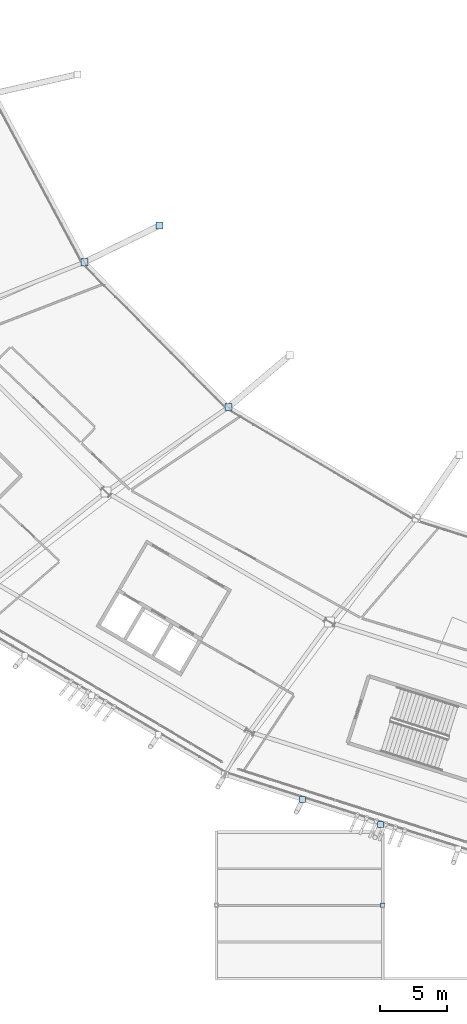
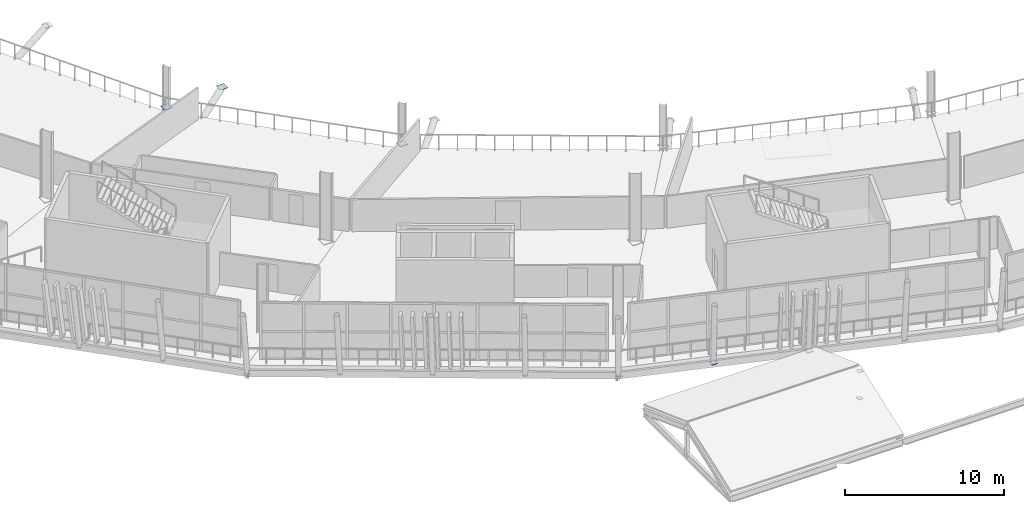
# One storey, part 94 of 168: 7 plates.
"""IFC4 building model written with IfcOpenShell, lengths in metres."""

from ifc_helpers import new_model, si_unit, direction, frame, origin, origin_2d, place, context, subcontext, project, spatial, rectangle, extrude, material, layer, layer_set, type_object, element, save


model = new_model("IFC4")

# Units and contexts
model_context = context("Model", 3, precision=1e-05, world=origin(), true_north=direction((0.0, 1.0)))
body_context = subcontext(model_context, "Body", "Model", "MODEL_VIEW")
ifc_project = project(units=[si_unit("LENGTHUNIT", "METRE"), si_unit("AREAUNIT", "SQUARE_METRE"), si_unit("VOLUMEUNIT", "CUBIC_METRE"), si_unit("PLANEANGLEUNIT", "RADIAN"), si_unit("MASSUNIT", "GRAM", prefix="KILO")], contexts=[model_context])

# Site, building, storey
site_placement = place(None, origin())
site = spatial("IfcSite", under=ifc_project, at=site_placement, CompositionType="ELEMENT")
building_placement = place(site_placement, origin())
building = spatial("IfcBuilding", under=site, at=building_placement, Name="Zlatoyarsky Gate Stadium", CompositionType="ELEMENT")
storey_placement = place(building_placement, frame((0.0, 0.0, 15.60009765625)))
storey = spatial("IfcBuildingStorey", under=building, at=storey_placement, Name="L03", CompositionType="ELEMENT", Elevation=15.60009765625)

# Plates
ifc_material = material(Name="Steel S355", Category="steel")
ifc_layer = layer(ifc_material, 0.02392578125)
ifc_layer_set = layer_set([ifc_layer], Name="Steel S355")
plate_type = type_object("IfcPlateType", Name="STEEL HOLLOW CHORD SPLICE SHEET 24", PredefinedType="SHEET", material=ifc_layer_set)
for number, where, z_axis, x_axis, name in (
    (1, (57.739501953125, 56.5, -1.761962890625), (0.0, 0.0, 1.0), (1.0, 0.0, 0.0), "Node closure plate ND-SP1 NCAP-UTIP-14"),
    (2, (52.1103515625, 53.75, 0.337890625), (0.0, 0.0, 1.0), (1.0, 0.0, 0.0), "Node closure plate ND-SP1 NCAP-UTOPB-14"),
    (3, (62.916748046875, 42.876953125, 0.337890625), (0.0, 0.0, 1.0), (1.0, 0.0, 0.0), "Node closure plate ND-SP1 NCAP-UTOPB-15"),
):
    element("IfcPlate", number, at=place(storey_placement, frame(where, z_axis=z_axis, x_axis=x_axis)), inside=storey, type_object=plate_type, Name=name, PredefinedType="SHEET", context=body_context, shape_type="SweptSolid", body=[
        extrude(rectangle(XDim=0.5400390625, YDim=0.5400390625, at=origin_2d()), origin(), (0.0, 0.0, 1.0), 0.02392578125),
    ])
for number, where, z_axis, x_axis, name in (
    (4, (68.4794921875, 13.440185546875, -0.5419921875), (0.0, 0.0, 1.0), (1.0, 0.0, 0.0), "Node closure plate ND-SP1 NCAP-RIB-16-1-1T"),
    (5, (74.310302734375, 11.57470703125, -0.5419921875), (0.0, 0.0, 1.0), (1.0, 0.0, 0.0), "Node closure plate ND-SP1 NCAP-RIB-16-2-1T"),
):
    element("IfcPlate", number, at=place(storey_placement, frame(where, z_axis=z_axis, x_axis=x_axis)), inside=storey, type_object=plate_type, Name=name, PredefinedType="SHEET", context=body_context, shape_type="SweptSolid", body=[
        extrude(rectangle(XDim=0.43994140625, YDim=0.43994140625, at=origin_2d()), origin(), (0.0, 0.0, 1.0), 0.02392578125),
    ])
for number, where, z_axis, x_axis, name in (
    (6, (74.5, 5.5, -0.5419921875), (0.0, 0.0, 1.0), (1.0, 0.0, 0.0), "Node closure plate ND-SP1 NCAP-KP-V3_SOUTH_W-2A"),
    (7, (74.5, 5.5, 1.537841796875), (0.0, 0.0, 1.0), (1.0, 0.0, 0.0), "Node closure plate ND-SP1 NCAP-KP-V3_SOUTH_W-2B"),
):
    element("IfcPlate", number, at=place(storey_placement, frame(where, z_axis=z_axis, x_axis=x_axis)), inside=storey, type_object=plate_type, Name=name, PredefinedType="SHEET", context=body_context, shape_type="SweptSolid", body=[
        extrude(rectangle(XDim=0.340087890625, YDim=0.340087890625, at=origin_2d()), origin(), (0.0, 0.0, 1.0), 0.02392578125),
    ])

save(model, "model.ifc")
